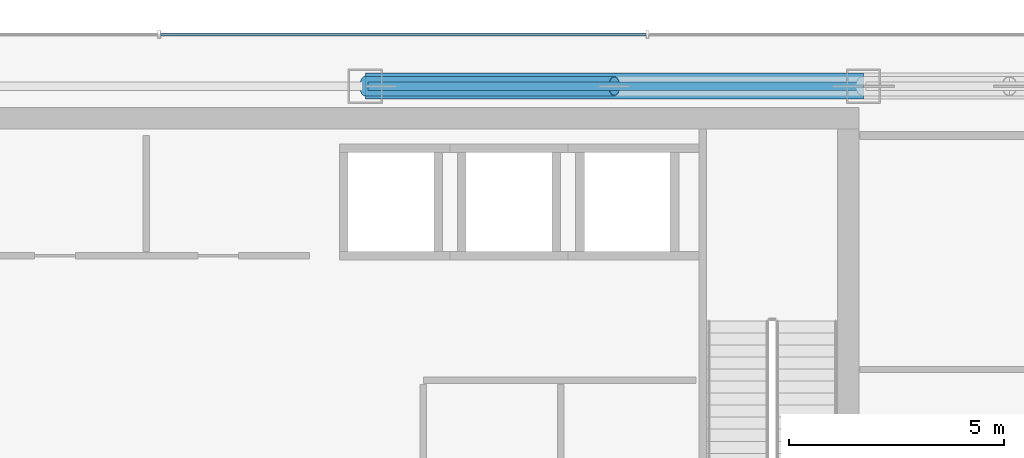
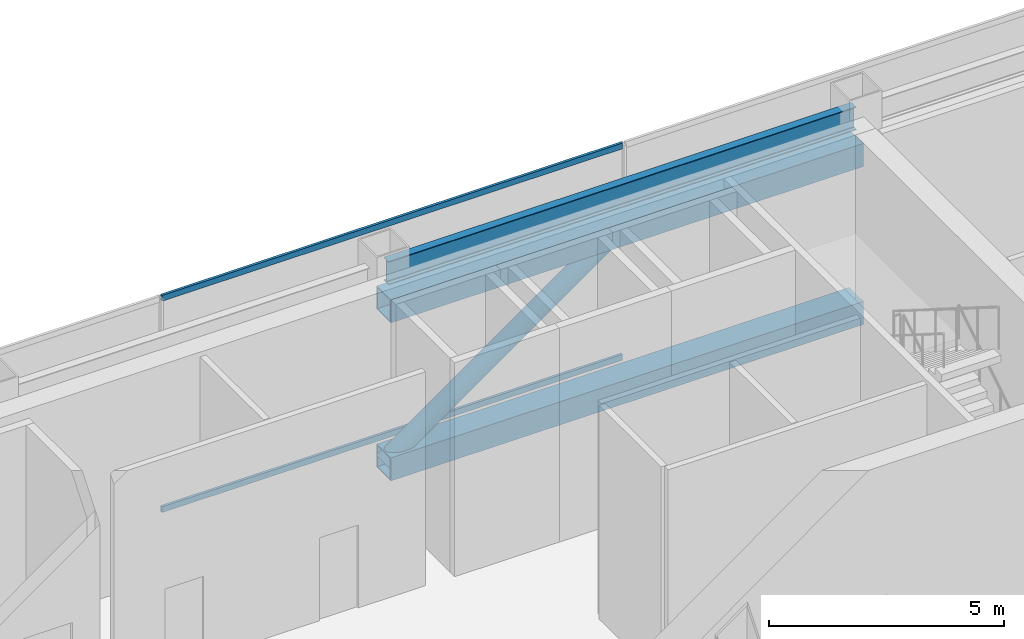
# One storey, part 25 of 34: 5 members, 1 beam, 1 element without a shape of its own.
"""IFC4 building model written with IfcOpenShell, lengths in metres."""

from ifc_helpers import new_model, si_unit, direction, frame, origin, origin_2d, place, context, subcontext, project, spatial, hollow_rectangle, hollow_circle, i_section, extrude, material, material_profile, profile_set, type_object, element, aggregate, save


model = new_model("IFC4")

# Units and contexts
model_context = context("Model", 3, precision=1e-05, world=origin(), true_north=direction((0.0, 1.0)))
body_context = subcontext(model_context, "Body", "Model", "MODEL_VIEW")
ifc_project = project(units=[si_unit("LENGTHUNIT", "METRE"), si_unit("AREAUNIT", "SQUARE_METRE"), si_unit("VOLUMEUNIT", "CUBIC_METRE"), si_unit("PLANEANGLEUNIT", "RADIAN"), si_unit("MASSUNIT", "GRAM", prefix="KILO")], contexts=[model_context])

# Site, building, storey
site_placement = place(None, origin())
site = spatial("IfcSite", under=ifc_project, at=site_placement, CompositionType="ELEMENT")
building_placement = place(site_placement, origin())
building = spatial("IfcBuilding", under=site, at=building_placement, Name="Saevonmaru Cultural Tower", CompositionType="ELEMENT")
storey_placement = place(building_placement, frame((0.0, 0.0, 224.60009765625)))
storey = spatial("IfcBuildingStorey", under=building, at=storey_placement, Name="L52", CompositionType="ELEMENT", Elevation=224.60009765625)

# Beam
ifc_material_1 = material(Name="Steel SM355", Category="steel")
ifc_material_profile_1 = material_profile(ifc_material_1, i_section(OverallWidth=0.199951171875, OverallDepth=0.60009765625, WebThickness=0.010986328125, FlangeThickness=0.01708984375, FilletRadius=0.02197265625, at=origin_2d()), Name="H-600x200x11x17")
ifc_profile_set_1 = profile_set([ifc_material_profile_1], Name="Steel SM355")
beam_type = type_object("IfcBeamType", Name="BM-SP-H600", PredefinedType="SPANDREL", material=ifc_profile_set_1)
beam_placement = place(storey_placement, frame((34.860107421875, 54.800048828125, 5.25), z_axis=(1.0, 0.0, 0.0), x_axis=(0.0, 1.0, 0.0)))
element("IfcBeam", 1, at=beam_placement, inside=storey, type_object=beam_type, Name="L52 North Spine Girder 4", PredefinedType="SPANDREL", context=body_context, shape_type="SweptSolid", body=[
    extrude(i_section(OverallWidth=0.199951171875, OverallDepth=0.60009765625, WebThickness=0.010986328125, FlangeThickness=0.01708984375, FilletRadius=0.02197265625, at=origin_2d()), origin(), (0.0, 0.0, 1.0), 11.47998046875),
])

# Members
ifc_material_2 = material(Name="Steel SM420", Category="steel")
ifc_material_profile_2 = material_profile(ifc_material_2, hollow_circle(Radius=0.228515625, WallThickness=0.02001953125, at=origin_2d()), Name="CHS-457.2x20")
ifc_profile_set_2 = profile_set([ifc_material_profile_2], Name="Steel SM420")
member_type_1 = type_object("IfcMemberType", Name="MB-OBR-CHS457", PredefinedType="BRACE", material=ifc_profile_set_2)
member_1_placement = place(storey_placement, frame((34.800048828125, 54.800048828125, 0.2998046875), z_axis=(0.816573308229, 0.0, 0.577241745102), x_axis=(0.0, 1.0, 0.0)))
element("IfcMember", 2, at=member_1_placement, inside=storey, type_object=member_type_1, Name="L52 Outrigger Truss Diagonal OE1-1", PredefinedType="BRACE", context=body_context, shape_type="SweptSolid", body=[
    extrude(hollow_circle(Radius=0.228515625, WallThickness=0.02001953125, at=origin_2d()), origin(), (0.0, 0.0, 1.0), 7.10302734375),
])
ifc_material_profile_3 = material_profile(ifc_material_2, hollow_rectangle(XDim=0.60009765625, YDim=0.60009765625, WallThickness=0.028076171875, at=origin_2d()), Name="BOX-600x600x28")
ifc_profile_set_3 = profile_set([ifc_material_profile_3], Name="Steel SM420")
member_type_2 = type_object("IfcMemberType", Name="MB-OCH-BOX600", PredefinedType="CHORD", material=ifc_profile_set_3)
for number, where, z_axis, x_axis, name in (
    (3, (34.800048828125, 54.800048828125, 0.2998046875), (1.0, 0.0, 0.0), (0.0, 1.0, 0.0), "L52 Outrigger Truss Bottom Chord OE1"),
    (4, (34.800048828125, 54.800048828125, 4.39990234375), (1.0, 0.0, 0.0), (0.0, 1.0, 0.0), "L52 Outrigger Truss Top Chord OE1"),
):
    element("IfcMember", number, at=place(storey_placement, frame(where, z_axis=z_axis, x_axis=x_axis)), inside=storey, type_object=member_type_2, Name=name, PredefinedType="CHORD", context=body_context, shape_type="SweptSolid", body=[
        extrude(hollow_rectangle(XDim=0.60009765625, YDim=0.60009765625, WallThickness=0.028076171875, at=origin_2d()), origin(), (0.0, 0.0, 1.0), 11.599853515625),
    ])

# Curtain wall, members
ifc_material_3 = material(Name="Satin Bronze Anodised Aluminium", Category="aluminium")
curtain_wall_type = type_object("IfcCurtainWallType", Name="CW-TYP-B", PredefinedType="NOTDEFINED", material=ifc_material_3)
curtain_wall_placement = place(storey_placement, origin())
curtain_wall = element("IfcCurtainWall", 5, at=curtain_wall_placement, inside=storey, type_object=curtain_wall_type, Name="L52 Wind-Floor Acoustic Louvre Screen E10", PredefinedType="NOTDEFINED")
ifc_material_profile_4 = material_profile(ifc_material_3, hollow_rectangle(XDim=0.06494140625, YDim=0.14990234375, WallThickness=0.00390625, at=origin_2d()), Name="ALU-TRAN-150x65x4")
ifc_profile_set_4 = profile_set([ifc_material_profile_4], Name="Satin Bronze Anodised Aluminium")
member_type_3 = type_object("IfcMemberType", Name="TR-CW-150x65", PredefinedType="USERDEFINED", material=ifc_profile_set_4)
member_2_placement = place(storey_placement, frame((41.33740234375, 56.0, 0.032470703125), z_axis=(-1.0, 0.0, 0.0), x_axis=(0.0, -1.0, 0.0)))
member_2 = element("IfcMember", 6, at=member_2_placement, type_object=member_type_3, Name="CW-TW-L52-E10 transom 2.1", ObjectType="TRANSOM", PredefinedType="USERDEFINED", context=body_context, shape_type="SweptSolid", body=[
    extrude(hollow_rectangle(XDim=0.06494140625, YDim=0.14990234375, WallThickness=0.00390625, at=origin_2d()), origin(), (0.0, 0.0, 1.0), 11.304931640625),
])
member_3_placement = place(storey_placement, frame((41.33740234375, 56.0, 5.517333984375), z_axis=(-1.0, 0.0, 0.0), x_axis=(0.0, -1.0, 0.0)))
member_3 = element("IfcMember", 7, at=member_3_placement, type_object=member_type_3, Name="CW-TW-L52-E10 transom 2.2", ObjectType="TRANSOM", PredefinedType="USERDEFINED", context=body_context, shape_type="SweptSolid", body=[
    extrude(hollow_rectangle(XDim=0.06494140625, YDim=0.14990234375, WallThickness=0.00390625, at=origin_2d()), origin(), (0.0, 0.0, 1.0), 11.304931640625),
])
aggregate(curtain_wall, [member_2, member_3])

save(model, "model.ifc")
